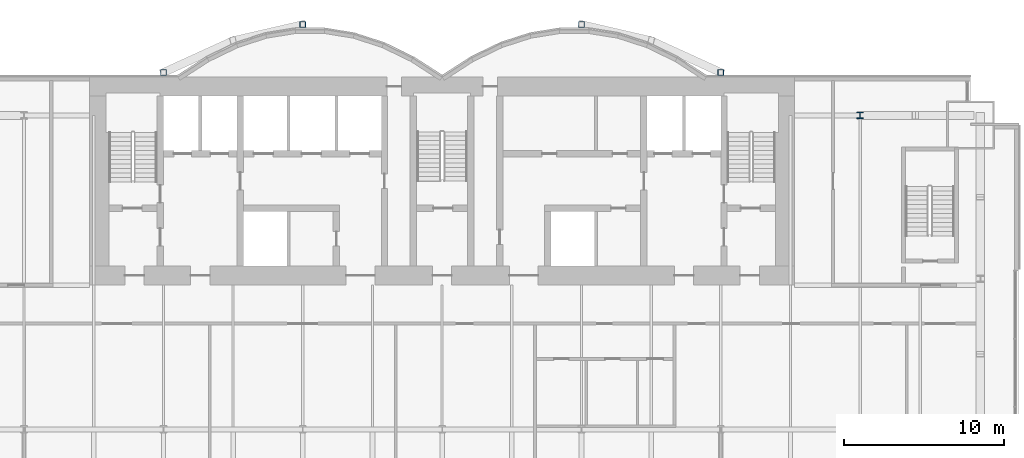
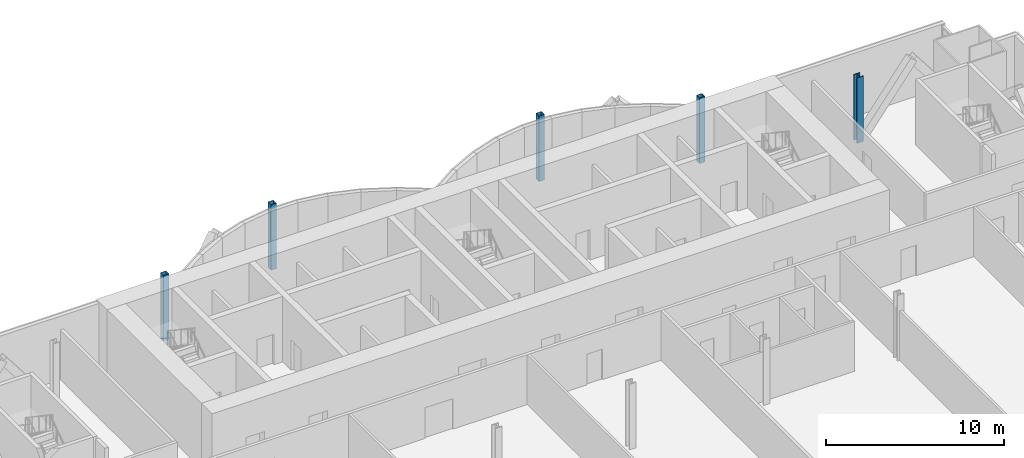
# One storey, part 2 of 21: 5 columns.
"""IFC4 building model written with IfcOpenShell, lengths in metres."""

from ifc_helpers import new_model, si_unit, direction, frame, origin, origin_2d, place, context, subcontext, project, spatial, hollow_rectangle, i_section, extrude, material, material_profile, profile_set, type_object, element, save


model = new_model("IFC4")

# Units and contexts
model_context = context("Model", 3, precision=1e-05, world=origin(), true_north=direction((0.0, 1.0)))
body_context = subcontext(model_context, "Body", "Model", "MODEL_VIEW")
ifc_project = project(units=[si_unit("LENGTHUNIT", "METRE"), si_unit("AREAUNIT", "SQUARE_METRE"), si_unit("VOLUMEUNIT", "CUBIC_METRE"), si_unit("PLANEANGLEUNIT", "RADIAN"), si_unit("MASSUNIT", "GRAM", prefix="KILO")], contexts=[model_context])

# Site, building, storey
site_placement = place(None, origin())
site = spatial("IfcSite", under=ifc_project, at=site_placement, CompositionType="ELEMENT")
building_placement = place(site_placement, origin())
building = spatial("IfcBuilding", under=site, at=building_placement, Name="Bicima Exchange Tower", CompositionType="ELEMENT")
storey_placement = place(building_placement, frame((0.0, 0.0, 57.5)))
storey = spatial("IfcBuildingStorey", under=building, at=storey_placement, Name="L11", CompositionType="ELEMENT", Elevation=57.5)

# Columns
ifc_material_1 = material(Name="Steel ASTM A992 Gr 50", Category="steel")
ifc_material_profile_1 = material_profile(ifc_material_1, i_section(OverallWidth=0.406494140625, OverallDepth=0.41650390625, WebThickness=0.030029296875, FlangeThickness=0.048095703125, at=origin_2d()))
ifc_profile_set_1 = profile_set([ifc_material_profile_1], Name="Steel ASTM A992 Gr 50")
column_type_1 = type_object("IfcColumnType", Name="Perimeter column W14x257", PredefinedType="COLUMN", material=ifc_profile_set_1)
column_placement = place(storey_placement, frame((26.10009765625, -2.39990234375, 0.0), z_axis=(0.0, 0.0, 1.0), x_axis=(1.0, 0.0, 0.0)))
element("IfcColumn", 1, at=column_placement, inside=storey, type_object=column_type_1, Name="Perimeter column grav+26.1r", PredefinedType="COLUMN", context=body_context, shape_type="SweptSolid", body=[
    extrude(i_section(OverallWidth=0.406494140625, OverallDepth=0.41650390625, WebThickness=0.030029296875, FlangeThickness=0.048095703125, at=origin_2d()), origin(), (0.0, 0.0, 1.0), 4.5),
])
ifc_material_2 = material(Name="Steel ASTM A572 Gr 50", Category="steel")
ifc_material_profile_2 = material_profile(ifc_material_2, hollow_rectangle(XDim=0.355712890625, YDim=0.355712890625, WallThickness=0.01171875, at=origin_2d()))
ifc_profile_set_2 = profile_set([ifc_material_profile_2], Name="Steel ASTM A572 Gr 50")
column_type_2 = type_object("IfcColumnType", Name="Rear pilaster HSS14x14x1/2", PredefinedType="COLUMN", material=ifc_profile_set_2)
for number, where, z_axis, x_axis, name in (
    (2, (-8.699951171875, 3.26904296875, 0.0), (0.0, 0.0, 1.0), (1.0, 0.0, 0.0), "Rear pilaster rexo-8.7r"),
    (3, (-17.39990234375, 0.278076171875, 0.0), (0.0, 0.0, 1.0), (1.0, 0.0, 0.0), "Rear pilaster rexo-17.4r"),
    (4, (8.699951171875, 3.26904296875, 0.0), (0.0, 0.0, 1.0), (1.0, 0.0, 0.0), "Rear pilaster rexo+8.7r"),
    (5, (17.39990234375, 0.278076171875, 0.0), (0.0, 0.0, 1.0), (1.0, 0.0, 0.0), "Rear pilaster rexo+17.4r"),
):
    element("IfcColumn", number, at=place(storey_placement, frame(where, z_axis=z_axis, x_axis=x_axis)), inside=storey, type_object=column_type_2, Name=name, PredefinedType="COLUMN", context=body_context, shape_type="SweptSolid", body=[
        extrude(hollow_rectangle(XDim=0.355712890625, YDim=0.355712890625, WallThickness=0.01171875, at=origin_2d()), origin(), (0.0, 0.0, 1.0), 4.5),
    ])

save(model, "model.ifc")
